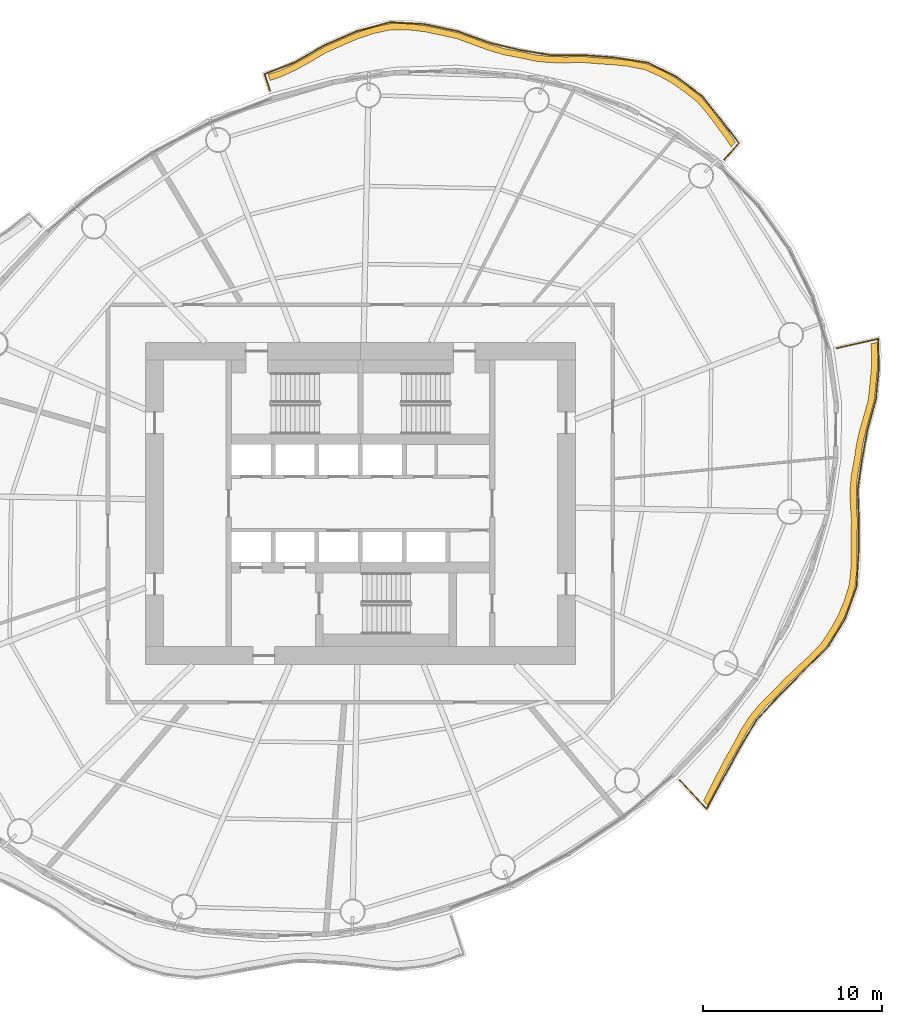
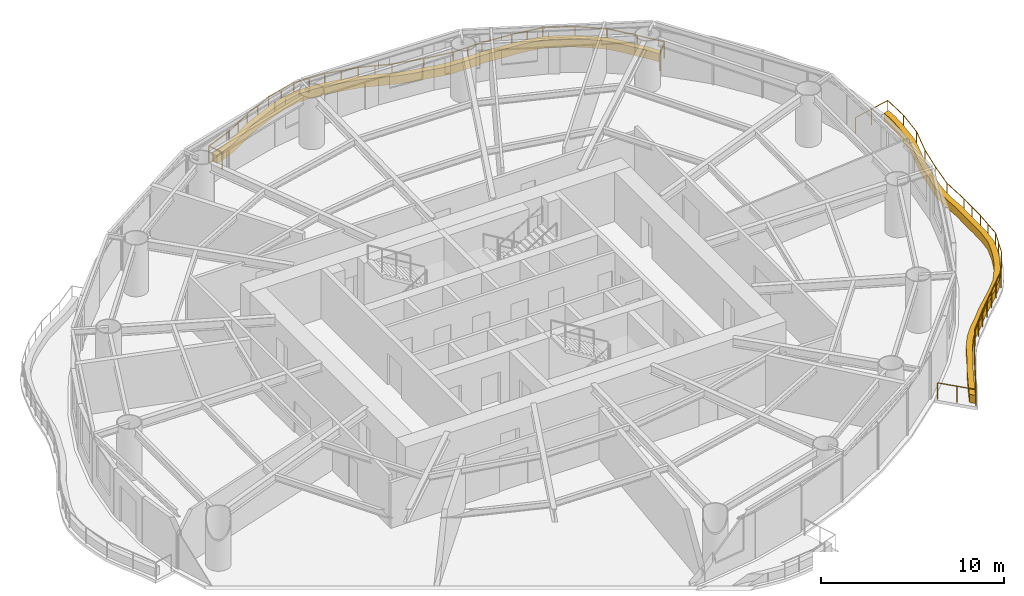
# One storey, part 14 of 14: 2 coverings, 2 railings.
"""IFC4 building model written with IfcOpenShell, lengths in metres."""

from ifc_helpers import new_model, si_unit, direction, frame, origin, origin_2d, place, context, subcontext, project, spatial, polyline, circle, outline, extrude, material, type_object, element, save


model = new_model("IFC4")

# Units and contexts
model_context = context("Model", 3, precision=1e-05, world=origin(), true_north=direction((0.0, 1.0)))
body_context = subcontext(model_context, "Body", "Model", "MODEL_VIEW")
ifc_project = project(units=[si_unit("LENGTHUNIT", "METRE"), si_unit("AREAUNIT", "SQUARE_METRE"), si_unit("VOLUMEUNIT", "CUBIC_METRE"), si_unit("PLANEANGLEUNIT", "RADIAN"), si_unit("MASSUNIT", "GRAM", prefix="KILO")], contexts=[model_context])

# Site, building, storey
site_placement = place(None, origin())
site = spatial("IfcSite", under=ifc_project, at=site_placement, CompositionType="ELEMENT")
building_placement = place(site_placement, origin())
building = spatial("IfcBuilding", under=site, at=building_placement, Name="Vermilion Reach Broadcast Tower", CompositionType="ELEMENT")
storey_placement = place(building_placement, frame((0.0, 0.0, 157.800048828125)))
storey = spatial("IfcBuildingStorey", under=building, at=storey_placement, Name="L37", CompositionType="ELEMENT", Elevation=157.800048828125)

# Coverings
ifc_material_1 = material(Name="Planting soil and greenery")
covering_type = type_object("IfcCoveringType", Name="Balcony PLANTER", PredefinedType="USERDEFINED", material=ifc_material_1)
placement = place(storey_placement, origin())
element("IfcCovering", 1, at=placement, inside=storey, type_object=covering_type, Name="PLANTER L37 group 1", ObjectType="PLANTER", PredefinedType="USERDEFINED", context=body_context, shape_type="SweptSolid", body=[
    extrude(outline(polyline([(14.937744140625, 20.177001953125), (14.59912109375, 20.681640625), (14.117919921875, 21.3291015625), (13.637939453125, 21.978271484375), (13.014404296875, 22.705810546875), (12.253662109375, 23.30029296875), (11.603515625, 23.758056640625), (10.915283203125, 24.1455078125), (10.039306640625, 24.54150390625), (9.0703125, 24.741455078125), (8.240234375, 24.827392578125), (7.3984375, 24.880859375), (6.456298828125, 24.9658203125), (5.494384765625, 24.946044921875), (4.64697265625, 24.958251953125), (3.81591796875, 25.046142578125), (2.9375, 25.236083984375), (2.028564453125, 25.40576171875), (1.19482421875, 25.651611328125), (0.365966796875, 25.955322265625), (-0.571044921875, 26.2958984375), (-1.5625, 26.515625), (-2.44189453125, 26.694091796875), (-3.318603515625, 26.797607421875), (-4.335205078125, 26.8017578125), (-5.34716796875, 26.5830078125), (-6.203369140625, 26.292236328125), (-7.048828125, 25.93115234375), (-7.985107421875, 25.518310546875), (-8.882568359375, 24.9970703125), (-9.69677734375, 24.5439453125), (-10.53173828125, 24.166015625), (-11.158935546875, 23.94921875), (-11.049072265625, 23.616943359375), (-10.43994140625, 23.828369140625), (-9.605224609375, 24.2060546875), (-8.790771484375, 24.659423828125), (-7.91259765625, 25.176025390625), (-6.99560546875, 25.5849609375), (-6.150390625, 25.9462890625), (-5.294189453125, 26.23681640625), (-4.30224609375, 26.453369140625), (-3.30615234375, 26.44775390625), (-2.429443359375, 26.34423828125), (-1.55029296875, 26.165771484375), (-0.580078125, 25.946044921875), (0.33544921875, 25.606689453125), (1.164306640625, 25.302978515625), (1.998291015625, 25.05712890625), (2.885009765625, 24.89013671875), (3.7412109375, 24.704345703125), (4.572265625, 24.616455078125), (5.419677734375, 24.60400390625), (6.3583984375, 24.6298828125), (7.278076171875, 24.55224609375), (8.1201171875, 24.498779296875), (8.9501953125, 24.412841796875), (9.896240234375, 24.22216796875), (10.749755859375, 23.837158203125), (11.437744140625, 23.44970703125), (12.088134765625, 22.991943359375), (12.826416015625, 22.41064453125), (13.428466796875, 21.697998046875), (13.908203125, 21.048583984375), (14.389404296875, 20.4013671875), (14.707275390625, 19.913818359375), (14.937744140625, 20.177001953125)])), origin(), (0.0, 0.0, 1.0), 0.550048828125),
])
element("IfcCovering", 2, at=placement, inside=storey, type_object=covering_type, Name="PLANTER L37 group 4", ObjectType="PLANTER", PredefinedType="USERDEFINED", context=body_context, shape_type="SweptSolid", body=[
    extrude(outline(polyline([(13.39794921875, -16.866455078125), (13.740478515625, -16.185546875), (14.172607421875, -15.346923828125), (14.602294921875, -14.50634765625), (15.109619140625, -13.640380859375), (15.5673828125, -12.780029296875), (16.0576171875, -12.034423828125), (16.630859375, -11.35205078125), (17.326171875, -10.67138671875), (17.989501953125, -9.966064453125), (18.65380859375, -9.34521484375), (19.323974609375, -8.727783203125), (20.0361328125, -7.979248046875), (20.58154296875, -7.140869140625), (20.996826171875, -6.392578125), (21.325439453125, -5.60595703125), (21.628662109375, -4.645751953125), (21.729736328125, -3.654541015625), (21.740234375, -2.792724609375), (21.73046875, -1.925048828125), (21.759033203125, -0.968017578125), (21.70068359375, -0.0439453125), (21.6923828125, 0.775390625), (21.763427734375, 1.582763671875), (21.931640625, 2.454345703125), (22.051513671875, 3.320556640625), (22.23583984375, 4.109130859375), (22.462890625, 4.897216796875), (22.70849609375, 5.8232421875), (22.799560546875, 6.756591796875), (22.875244140625, 7.548583984375), (22.89404296875, 8.332275390625), (22.858154296875, 8.99658203125), (22.5166015625, 8.919921875), (22.547607421875, 8.2822265625), (22.52880859375, 7.49853515625), (22.453125, 6.70654296875), (22.359375, 5.799072265625), (22.113037109375, 4.899169921875), (21.8857421875, 4.111083984375), (21.70166015625, 3.322509765625), (21.582763671875, 2.481201171875), (21.417236328125, 1.634521484375), (21.34619140625, 0.826904296875), (21.3544921875, 0.007568359375), (21.4169921875, -0.89306640625), (21.39453125, -1.8271484375), (21.404296875, -2.695068359375), (21.393798828125, -3.556884765625), (21.299560546875, -4.526611328125), (21.004638671875, -5.466064453125), (20.67626953125, -6.25244140625), (20.2607421875, -7.0009765625), (19.724609375, -7.81982421875), (19.0224609375, -8.5498046875), (18.352294921875, -9.167236328125), (17.68798828125, -9.7880859375), (17.03564453125, -10.47607421875), (16.3525390625, -11.139892578125), (15.779052734375, -11.822509765625), (15.288818359375, -12.568115234375), (14.843505859375, -13.4130859375), (14.349609375, -14.264404296875), (13.919677734375, -15.10498046875), (13.487548828125, -15.943603515625), (13.15869140625, -16.611083984375), (13.39794921875, -16.866455078125)])), origin(), (0.0, 0.0, 1.0), 0.550048828125),
])

# Railings
ifc_material_2 = material(Name="Stainless steel 316 balustrade", Category="steel")
railing_type = type_object("IfcRailingType", Name="Balcony guard 1100", PredefinedType="BALUSTRADE", material=ifc_material_2)
railing_1_placement = place(storey_placement, frame((14.32373046875, 19.203369140625, 0.0)))
element("IfcRailing", 3, at=railing_1_placement, inside=storey, type_object=railing_type, Name="Balcony guard L37 group 1", PredefinedType="BALUSTRADE", context=body_context, shape_type="SweptSolid", body=[
    extrude(circle(Radius=0.02490234375, at=origin_2d()), frame((0.0, 0.0, 1.0751953125), z_axis=(0.658855564545, 0.75226946307, 0.0), x_axis=(-0.75226946307, 0.658855564545, 0.0)), (0.0, 0.0, 1.0), 1.23095703125),
    extrude(circle(Radius=0.02490234375, at=origin_2d()), frame((0.81103515625, 0.926025390625, 1.0751953125), z_axis=(-0.608502350954, 0.793552070682, 0.0), x_axis=(-0.793552070682, -0.608502350954, 0.0)), (0.0, 0.0, 1.0), 1.592529296875),
    extrude(circle(Radius=0.02490234375, at=origin_2d()), frame((-0.157958984375, 2.189697265625, 1.0751953125), z_axis=(-0.626174083209, 0.77968328026, 0.0), x_axis=(-0.77968328026, -0.626174083209, 0.0)), (0.0, 0.0, 1.0), 1.77001953125),
    extrude(circle(Radius=0.02490234375, at=origin_2d()), frame((-1.266357421875, 3.56982421875, 1.0751953125), z_axis=(-0.801788015083, 0.597608549863, 0.0), x_axis=(-0.597608549863, -0.801788015083, 0.0)), (0.0, 0.0, 1.0), 1.76611328125),
    extrude(circle(Radius=0.02490234375, at=origin_2d()), frame((-2.682373046875, 4.625244140625, 1.0751953125), z_axis=(-0.894120918674, 0.447825616495, 0.0), x_axis=(-0.447825616495, -0.894120918674, 0.0)), (0.0, 0.0, 1.0), 1.7548828125),
    extrude(circle(Radius=0.02490234375, at=origin_2d()), frame((-4.25146484375, 5.4111328125, 1.0751953125), z_axis=(-0.987493935273, 0.157656994131, 0.0), x_axis=(-0.157656994131, -0.987493935273, 0.0)), (0.0, 0.0, 1.0), 1.827392578125),
    extrude(circle(Radius=0.02490234375, at=origin_2d()), frame((-6.055908203125, 5.69921875, 1.0751953125), z_axis=(-0.996947103982, 0.078079906902, 0.0), x_axis=(-0.078079906902, -0.996947103982, 0.0)), (0.0, 0.0, 1.0), 1.794677734375),
    extrude(circle(Radius=0.02490234375, at=origin_2d()), frame((-7.84521484375, 5.83935546875, 1.0751953125), z_axis=(-0.999993880706, -0.003498363953, 0.0), x_axis=(0.003498363953, -0.999993880706, 0.0)), (0.0, 0.0, 1.0), 1.814453125),
    extrude(circle(Radius=0.02490234375, at=origin_2d()), frame((-9.65966796875, 5.8330078125, 1.0751953125), z_axis=(-0.987032141713, 0.160522743639, 0.0), x_axis=(-0.160522743639, -0.987032141713, 0.0)), (0.0, 0.0, 1.0), 1.73681640625),
    extrude(circle(Radius=0.02490234375, at=origin_2d()), frame((-11.3740234375, 6.11181640625, 1.0751953125), z_axis=(-0.972829535082, 0.231522559746, 0.0), x_axis=(-0.231522559746, -0.972829535082, 0.0)), (0.0, 0.0, 1.0), 1.796875),
    extrude(circle(Radius=0.02490234375, at=origin_2d()), frame((-13.1220703125, 6.52783203125, 1.0751953125), z_axis=(-0.939630647099, 0.342190366656, 0.0), x_axis=(-0.342190366656, -0.939630647099, 0.0)), (0.0, 0.0, 1.0), 1.88427734375),
    extrude(circle(Radius=0.02490234375, at=origin_2d()), frame((-14.892578125, 7.172607421875, 1.0751953125), z_axis=(-0.978201219892, 0.207659272373, 0.0), x_axis=(-0.207659272373, -0.978201219892, 0.0)), (0.0, 0.0, 1.0), 1.91748046875),
    extrude(circle(Radius=0.02490234375, at=origin_2d()), frame((-16.768310546875, 7.57080078125, 1.0751953125), z_axis=(-0.998409356708, 0.056380461486, 0.0), x_axis=(-0.056380461486, -0.998409356708, 0.0)), (0.0, 0.0, 1.0), 1.90087890625),
    extrude(circle(Radius=0.02490234375, at=origin_2d()), frame((-18.666259765625, 7.677978515625, 1.0751953125), z_axis=(-0.964871125079, -0.262723641852, 0.0), x_axis=(0.262723641852, -0.964871125079, 0.0)), (0.0, 0.0, 1.0), 1.941162109375),
    extrude(circle(Radius=0.02490234375, at=origin_2d()), frame((-20.539306640625, 7.16796875, 1.0751953125), z_axis=(-0.917430531286, -0.397895991767, 0.0), x_axis=(0.397895991767, -0.917430531286, 0.0)), (0.0, 0.0, 1.0), 1.94677734375),
    extrude(circle(Radius=0.02490234375, at=origin_2d()), frame((-22.325439453125, 6.393310546875, 1.0751953125), z_axis=(-0.869337006532, -0.494219757875, 0.0), x_axis=(0.494219757875, -0.869337006532, 0.0)), (0.0, 0.0, 1.0), 1.973876953125),
    extrude(circle(Radius=0.02490234375, at=origin_2d()), frame((-24.04150390625, 5.417724609375, 1.0751953125), z_axis=(-0.930997209435, -0.365026294976, 0.0), x_axis=(0.365026294976, -0.930997209435, 0.0)), (0.0, 0.0, 1.0), 1.76171875),
    extrude(circle(Radius=0.02490234375, at=origin_2d()), frame((-25.681640625, 4.774658203125, 1.0751953125), z_axis=(0.314363341454, -0.949302738619, 0.0), x_axis=(0.949302738619, 0.314363341454, 0.0)), (0.0, 0.0, 1.0), 0.982421875),
    extrude(circle(Radius=0.02490234375, at=origin_2d()), origin(), (0.0, 0.0, 1.0), 1.050048828125),
    extrude(circle(Radius=0.02490234375, at=origin_2d()), frame((0.81103515625, 0.926025390625, 0.0)), (0.0, 0.0, 1.0), 1.050048828125),
    extrude(circle(Radius=0.02490234375, at=origin_2d()), frame((-0.157958984375, 2.189697265625, 0.0)), (0.0, 0.0, 1.0), 1.050048828125),
    extrude(circle(Radius=0.02490234375, at=origin_2d()), frame((-1.266357421875, 3.56982421875, 0.0)), (0.0, 0.0, 1.0), 1.050048828125),
    extrude(circle(Radius=0.02490234375, at=origin_2d()), frame((-2.682373046875, 4.625244140625, 0.0)), (0.0, 0.0, 1.0), 1.050048828125),
    extrude(circle(Radius=0.02490234375, at=origin_2d()), frame((-4.25146484375, 5.4111328125, 0.0)), (0.0, 0.0, 1.0), 1.050048828125),
    extrude(circle(Radius=0.02490234375, at=origin_2d()), frame((-5.15380859375, 5.55517578125, 0.0)), (0.0, 0.0, 1.0), 1.050048828125),
    extrude(circle(Radius=0.02490234375, at=origin_2d()), frame((-6.055908203125, 5.69921875, 0.0)), (0.0, 0.0, 1.0), 1.050048828125),
    extrude(circle(Radius=0.02490234375, at=origin_2d()), frame((-7.84521484375, 5.83935546875, 0.0)), (0.0, 0.0, 1.0), 1.050048828125),
    extrude(circle(Radius=0.02490234375, at=origin_2d()), frame((-8.75244140625, 5.836181640625, 0.0)), (0.0, 0.0, 1.0), 1.050048828125),
    extrude(circle(Radius=0.02490234375, at=origin_2d()), frame((-9.65966796875, 5.8330078125, 0.0)), (0.0, 0.0, 1.0), 1.050048828125),
    extrude(circle(Radius=0.02490234375, at=origin_2d()), frame((-11.3740234375, 6.11181640625, 0.0)), (0.0, 0.0, 1.0), 1.050048828125),
    extrude(circle(Radius=0.02490234375, at=origin_2d()), frame((-13.1220703125, 6.52783203125, 0.0)), (0.0, 0.0, 1.0), 1.050048828125),
    extrude(circle(Radius=0.02490234375, at=origin_2d()), frame((-14.00732421875, 6.85009765625, 0.0)), (0.0, 0.0, 1.0), 1.050048828125),
    extrude(circle(Radius=0.02490234375, at=origin_2d()), frame((-14.892578125, 7.172607421875, 0.0)), (0.0, 0.0, 1.0), 1.050048828125),
    extrude(circle(Radius=0.02490234375, at=origin_2d()), frame((-15.83056640625, 7.37158203125, 0.0)), (0.0, 0.0, 1.0), 1.050048828125),
    extrude(circle(Radius=0.02490234375, at=origin_2d()), frame((-16.768310546875, 7.57080078125, 0.0)), (0.0, 0.0, 1.0), 1.050048828125),
    extrude(circle(Radius=0.02490234375, at=origin_2d()), frame((-17.71728515625, 7.62451171875, 0.0)), (0.0, 0.0, 1.0), 1.050048828125),
    extrude(circle(Radius=0.02490234375, at=origin_2d()), frame((-18.666259765625, 7.677978515625, 0.0)), (0.0, 0.0, 1.0), 1.050048828125),
    extrude(circle(Radius=0.02490234375, at=origin_2d()), frame((-19.602783203125, 7.4228515625, 0.0)), (0.0, 0.0, 1.0), 1.050048828125),
    extrude(circle(Radius=0.02490234375, at=origin_2d()), frame((-20.539306640625, 7.16796875, 0.0)), (0.0, 0.0, 1.0), 1.050048828125),
    extrude(circle(Radius=0.02490234375, at=origin_2d()), frame((-21.432373046875, 6.78076171875, 0.0)), (0.0, 0.0, 1.0), 1.050048828125),
    extrude(circle(Radius=0.02490234375, at=origin_2d()), frame((-22.325439453125, 6.393310546875, 0.0)), (0.0, 0.0, 1.0), 1.050048828125),
    extrude(circle(Radius=0.02490234375, at=origin_2d()), frame((-23.18359375, 5.905517578125, 0.0)), (0.0, 0.0, 1.0), 1.050048828125),
    extrude(circle(Radius=0.02490234375, at=origin_2d()), frame((-24.04150390625, 5.417724609375, 0.0)), (0.0, 0.0, 1.0), 1.050048828125),
    extrude(circle(Radius=0.02490234375, at=origin_2d()), frame((-25.681640625, 4.774658203125, 0.0)), (0.0, 0.0, 1.0), 1.050048828125),
    extrude(circle(Radius=0.02490234375, at=origin_2d()), frame((-25.372802734375, 3.842041015625, 0.0)), (0.0, 0.0, 1.0), 1.050048828125),
])
railing_2_placement = place(storey_placement, frame((11.827392578125, -15.452392578125, 0.0)))
element("IfcRailing", 4, at=railing_2_placement, inside=storey, type_object=railing_type, Name="Balcony guard L37 group 4", PredefinedType="BALUSTRADE", context=body_context, shape_type="SweptSolid", body=[
    extrude(circle(Radius=0.02490234375, at=origin_2d()), frame((0.0, 0.0, 1.0751953125), z_axis=(0.683541541447, -0.729911611852, 0.0), x_axis=(0.729911611852, 0.683541541447, 0.0)), (0.0, 0.0, 1.0), 2.195556640625),
    extrude(circle(Radius=0.02490234375, at=origin_2d()), frame((1.500732421875, -1.6025390625, 1.0751953125), z_axis=(0.4792336409, 0.877687368845, 0.0), x_axis=(-0.877687368845, 0.4792336409, 0.0)), (0.0, 0.0, 1.0), 1.8828125),
    extrude(circle(Radius=0.02490234375, at=origin_2d()), frame((2.403076171875, 0.050048828125, 1.0751953125), z_axis=(0.481707402647, 0.8763321164, 0.0), x_axis=(-0.8763321164, 0.481707402647, 0.0)), (0.0, 0.0, 1.0), 1.951171875),
    extrude(circle(Radius=0.02490234375, at=origin_2d()), frame((3.343017578125, 1.760009765625, 1.0751953125), z_axis=(0.508702911062, 0.860942128297, 0.0), x_axis=(-0.860942128297, 0.508702911062, 0.0)), (0.0, 0.0, 1.0), 1.869384765625),
    extrude(circle(Radius=0.02490234375, at=origin_2d()), frame((4.2939453125, 3.369384765625, 1.0751953125), z_axis=(0.681007732906, 0.732276223649, 0.0), x_axis=(-0.732276223649, 0.681007732906, 0.0)), (0.0, 0.0, 1.0), 1.86669921875),
    extrude(circle(Radius=0.02490234375, at=origin_2d()), frame((5.565185546875, 4.736328125, 1.0751953125), z_axis=(0.707106781187, 0.707106781187, 0.0), x_axis=(-0.707106781187, 0.707106781187, 0.0)), (0.0, 0.0, 1.0), 1.881103515625),
    extrude(circle(Radius=0.02490234375, at=origin_2d()), frame((6.895263671875, 6.06640625, 1.0751953125), z_axis=(0.710793947707, 0.703400287108, 0.0), x_axis=(-0.703400287108, 0.710793947707, 0.0)), (0.0, 0.0, 1.0), 1.9482421875),
    extrude(circle(Radius=0.02490234375, at=origin_2d()), frame((8.280029296875, 7.436767578125, 1.0751953125), z_axis=(0.51775463923, 0.855529154124, 0.0), x_axis=(-0.855529154124, 0.51775463923, 0.0)), (0.0, 0.0, 1.0), 1.85986328125),
    extrude(circle(Radius=0.02490234375, at=origin_2d()), frame((9.242919921875, 9.02783203125, 1.0751953125), z_axis=(0.340153345574, 0.940369981175, 0.0), x_axis=(-0.940369981175, 0.340153345574, 0.0)), (0.0, 0.0, 1.0), 1.862548828125),
    extrude(circle(Radius=0.02490234375, at=origin_2d()), frame((9.87646484375, 10.779296875, 1.0751953125), z_axis=(0.060859383216, 0.998146349728, 0.0), x_axis=(-0.998146349728, 0.060859383216, 0.0)), (0.0, 0.0, 1.0), 1.861328125),
    extrude(circle(Radius=0.02490234375, at=origin_2d()), frame((9.98974609375, 12.63720703125, 1.0751953125), z_axis=(0.010938513095, 0.999940172676, 0.0), x_axis=(-0.999940172676, 0.010938513095, 0.0)), (0.0, 0.0, 1.0), 1.830078125),
    extrude(circle(Radius=0.02490234375, at=origin_2d()), frame((10.009765625, 14.46728515625, 1.0751953125), z_axis=(-0.037527643959, 0.999295589873, 0.0), x_axis=(-0.999295589873, -0.037527643959, 0.0)), (0.0, 0.0, 1.0), 1.75),
    extrude(circle(Radius=0.02490234375, at=origin_2d()), frame((9.944091796875, 16.216064453125, 1.0751953125), z_axis=(0.141059728779, 0.990001087331, 0.0), x_axis=(-0.990001087331, 0.141059728779, 0.0)), (0.0, 0.0, 1.0), 1.701416015625),
    extrude(circle(Radius=0.02490234375, at=origin_2d()), frame((10.18408203125, 17.900390625, 1.0751953125), z_axis=(0.180183296381, 0.983633051349, 0.0), x_axis=(-0.983633051349, 0.180183296381, 0.0)), (0.0, 0.0, 1.0), 1.688232421875),
    extrude(circle(Radius=0.02490234375, at=origin_2d()), frame((10.48828125, 19.56103515625, 1.0751953125), z_axis=(0.264981513312, 0.964253492399, 0.0), x_axis=(-0.964253492399, 0.264981513312, 0.0)), (0.0, 0.0, 1.0), 1.78369140625),
    extrude(circle(Radius=0.02490234375, at=origin_2d()), frame((10.9609375, 21.281005859375, 1.0751953125), z_axis=(0.095458289784, 0.995433430678, 0.0), x_axis=(-0.995433430678, 0.095458289784, 0.0)), (0.0, 0.0, 1.0), 1.7392578125),
    extrude(circle(Radius=0.02490234375, at=origin_2d()), frame((11.126953125, 23.01220703125, 1.0751953125), z_axis=(-0.026762770642, 0.999641812905, 0.0), x_axis=(-0.999641812905, -0.026762770642, 0.0)), (0.0, 0.0, 1.0), 1.6328125),
    extrude(circle(Radius=0.02490234375, at=origin_2d()), frame((11.083251953125, 24.64453125, 1.0751953125), z_axis=(-0.975744366237, -0.218913068951, 0.0), x_axis=(0.218913068951, -0.975744366237, 0.0)), (0.0, 0.0, 1.0), 2.385498046875),
    extrude(circle(Radius=0.02490234375, at=origin_2d()), origin(), (0.0, 0.0, 1.0), 1.050048828125),
    extrude(circle(Radius=0.02490234375, at=origin_2d()), frame((0.75048828125, -0.80126953125, 0.0)), (0.0, 0.0, 1.0), 1.050048828125),
    extrude(circle(Radius=0.02490234375, at=origin_2d()), frame((1.500732421875, -1.6025390625, 0.0)), (0.0, 0.0, 1.0), 1.050048828125),
    extrude(circle(Radius=0.02490234375, at=origin_2d()), frame((1.951904296875, -0.7763671875, 0.0)), (0.0, 0.0, 1.0), 1.050048828125),
    extrude(circle(Radius=0.02490234375, at=origin_2d()), frame((2.403076171875, 0.050048828125, 0.0)), (0.0, 0.0, 1.0), 1.050048828125),
    extrude(circle(Radius=0.02490234375, at=origin_2d()), frame((2.873046875, 0.905029296875, 0.0)), (0.0, 0.0, 1.0), 1.050048828125),
    extrude(circle(Radius=0.02490234375, at=origin_2d()), frame((3.343017578125, 1.760009765625, 0.0)), (0.0, 0.0, 1.0), 1.050048828125),
    extrude(circle(Radius=0.02490234375, at=origin_2d()), frame((3.818359375, 2.564697265625, 0.0)), (0.0, 0.0, 1.0), 1.050048828125),
    extrude(circle(Radius=0.02490234375, at=origin_2d()), frame((4.2939453125, 3.369384765625, 0.0)), (0.0, 0.0, 1.0), 1.050048828125),
    extrude(circle(Radius=0.02490234375, at=origin_2d()), frame((4.9296875, 4.052734375, 0.0)), (0.0, 0.0, 1.0), 1.050048828125),
    extrude(circle(Radius=0.02490234375, at=origin_2d()), frame((5.565185546875, 4.736328125, 0.0)), (0.0, 0.0, 1.0), 1.050048828125),
    extrude(circle(Radius=0.02490234375, at=origin_2d()), frame((6.230224609375, 5.4013671875, 0.0)), (0.0, 0.0, 1.0), 1.050048828125),
    extrude(circle(Radius=0.02490234375, at=origin_2d()), frame((6.895263671875, 6.06640625, 0.0)), (0.0, 0.0, 1.0), 1.050048828125),
    extrude(circle(Radius=0.02490234375, at=origin_2d()), frame((7.587646484375, 6.75146484375, 0.0)), (0.0, 0.0, 1.0), 1.050048828125),
    extrude(circle(Radius=0.02490234375, at=origin_2d()), frame((8.280029296875, 7.436767578125, 0.0)), (0.0, 0.0, 1.0), 1.050048828125),
    extrude(circle(Radius=0.02490234375, at=origin_2d()), frame((8.761474609375, 8.232421875, 0.0)), (0.0, 0.0, 1.0), 1.050048828125),
    extrude(circle(Radius=0.02490234375, at=origin_2d()), frame((9.242919921875, 9.02783203125, 0.0)), (0.0, 0.0, 1.0), 1.050048828125),
    extrude(circle(Radius=0.02490234375, at=origin_2d()), frame((9.5595703125, 9.903564453125, 0.0)), (0.0, 0.0, 1.0), 1.050048828125),
    extrude(circle(Radius=0.02490234375, at=origin_2d()), frame((9.87646484375, 10.779296875, 0.0)), (0.0, 0.0, 1.0), 1.050048828125),
    extrude(circle(Radius=0.02490234375, at=origin_2d()), frame((9.93310546875, 11.708251953125, 0.0)), (0.0, 0.0, 1.0), 1.050048828125),
    extrude(circle(Radius=0.02490234375, at=origin_2d()), frame((9.98974609375, 12.63720703125, 0.0)), (0.0, 0.0, 1.0), 1.050048828125),
    extrude(circle(Radius=0.02490234375, at=origin_2d()), frame((9.999755859375, 13.55224609375, 0.0)), (0.0, 0.0, 1.0), 1.050048828125),
    extrude(circle(Radius=0.02490234375, at=origin_2d()), frame((10.009765625, 14.46728515625, 0.0)), (0.0, 0.0, 1.0), 1.050048828125),
    extrude(circle(Radius=0.02490234375, at=origin_2d()), frame((9.944091796875, 16.216064453125, 0.0)), (0.0, 0.0, 1.0), 1.050048828125),
    extrude(circle(Radius=0.02490234375, at=origin_2d()), frame((10.18408203125, 17.900390625, 0.0)), (0.0, 0.0, 1.0), 1.050048828125),
    extrude(circle(Radius=0.02490234375, at=origin_2d()), frame((10.48828125, 19.56103515625, 0.0)), (0.0, 0.0, 1.0), 1.050048828125),
    extrude(circle(Radius=0.02490234375, at=origin_2d()), frame((10.9609375, 21.281005859375, 0.0)), (0.0, 0.0, 1.0), 1.050048828125),
    extrude(circle(Radius=0.02490234375, at=origin_2d()), frame((11.126953125, 23.01220703125, 0.0)), (0.0, 0.0, 1.0), 1.050048828125),
    extrude(circle(Radius=0.02490234375, at=origin_2d()), frame((11.083251953125, 24.64453125, 0.0)), (0.0, 0.0, 1.0), 1.050048828125),
    extrude(circle(Radius=0.02490234375, at=origin_2d()), frame((9.91943359375, 24.38330078125, 0.0)), (0.0, 0.0, 1.0), 1.050048828125),
    extrude(circle(Radius=0.02490234375, at=origin_2d()), frame((8.755615234375, 24.122314453125, 0.0)), (0.0, 0.0, 1.0), 1.050048828125),
])

save(model, "model.ifc")
